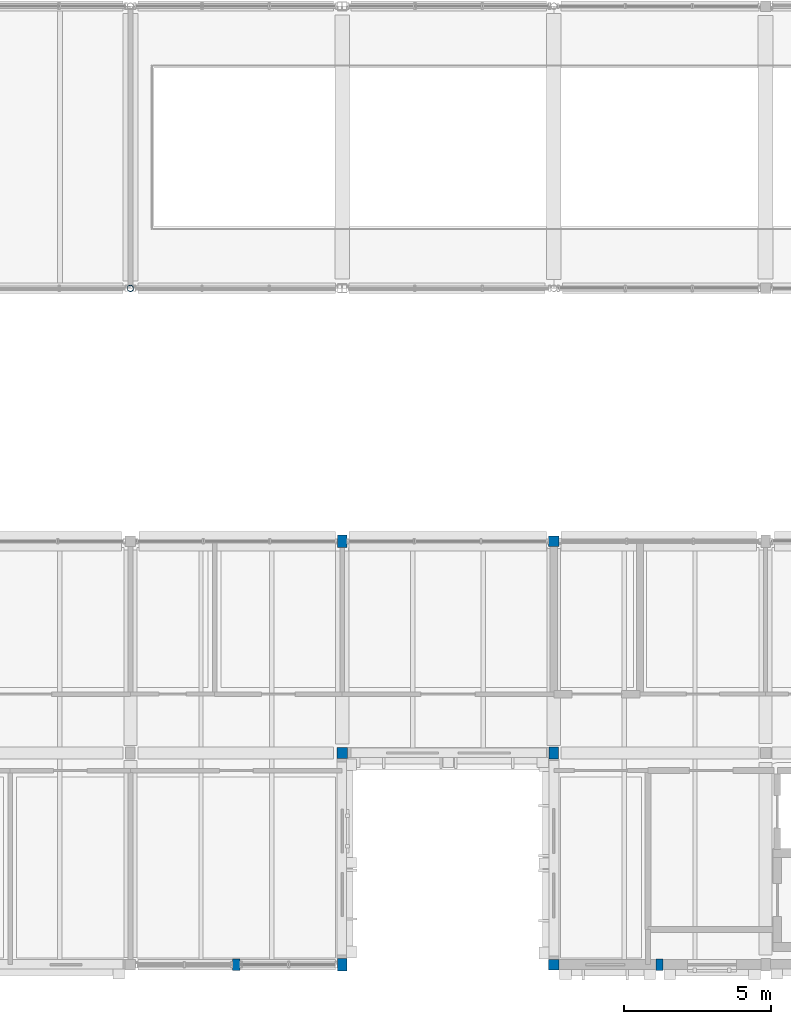
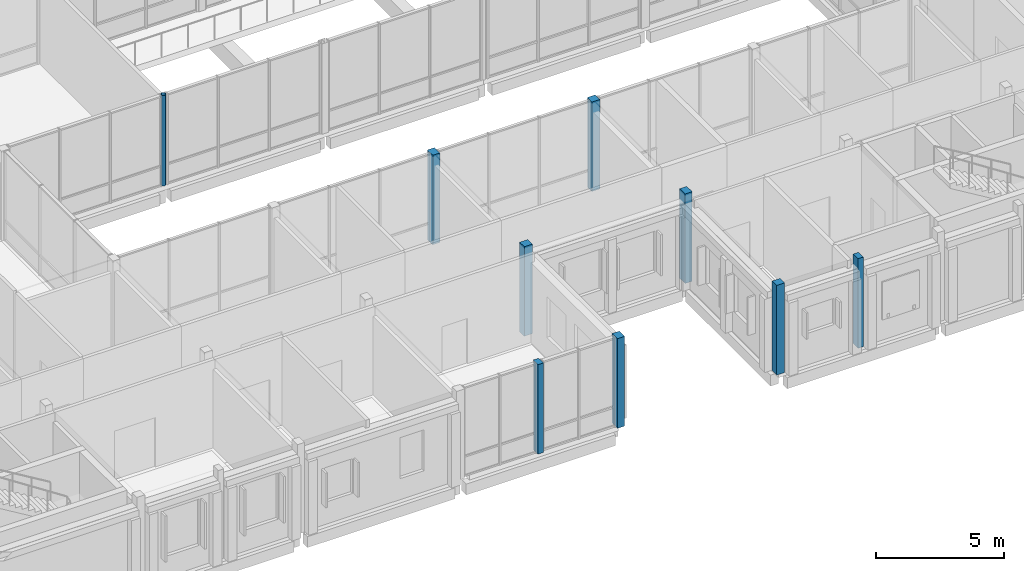
# One storey, part 2 of 146: 9 columns.
"""IFC4 building model written with IfcOpenShell, lengths in metres."""

from ifc_helpers import new_model, si_unit, direction, frame, origin, origin_2d, place, context, subcontext, project, spatial, rectangle, hollow_circle, extrude, material, material_profile, profile_set, type_object, element, save


model = new_model("IFC4")

# Units and contexts
model_context = context("Model", 3, precision=1e-05, world=origin(), true_north=direction((0.0, 1.0)))
body_context = subcontext(model_context, "Body", "Model", "MODEL_VIEW")
ifc_project = project(units=[si_unit("LENGTHUNIT", "METRE"), si_unit("AREAUNIT", "SQUARE_METRE"), si_unit("VOLUMEUNIT", "CUBIC_METRE"), si_unit("PLANEANGLEUNIT", "RADIAN"), si_unit("MASSUNIT", "GRAM", prefix="KILO")], contexts=[model_context])

# Site, building, storey
site_placement = place(None, origin())
site = spatial("IfcSite", under=ifc_project, at=site_placement, CompositionType="ELEMENT")
building_placement = place(site_placement, origin())
building = spatial("IfcBuilding", under=site, at=building_placement, Name="Hawrajan Terrace Health Centre", CompositionType="ELEMENT")
storey_placement = place(building_placement, frame((0.0, 0.0, 4.5)))
storey = spatial("IfcBuildingStorey", under=building, at=storey_placement, Name="L01", CompositionType="ELEMENT", Elevation=4.5)

# Columns
ifc_material_1 = material(Name="Glulam GL32h", Category="wood")
ifc_material_profile_1 = material_profile(ifc_material_1, rectangle(XDim=0.320068359375, YDim=0.419921875, at=origin_2d()), Name="GL 320x420")
ifc_profile_set_1 = profile_set([ifc_material_profile_1], Name="Glulam GL32h")
column_type_1 = type_object("IfcColumnType", Name="GlulamCol_320x420", PredefinedType="COLUMN", material=ifc_profile_set_1)
for number, where, z_axis, x_axis, name in (
    (1, (40.60009765625, 4.199951171875, 0.0), (0.0, 0.0, 1.0), (1.0, 0.0, 0.0), "Column COL-L01-W-X06-Y1"),
    (2, (40.60009765625, 18.60009765625, 0.0), (0.0, 0.0, 1.0), (1.0, 0.0, 0.0), "Column COL-L01-W-X06-Y3"),
    (3, (47.800048828125, 11.39990234375, 0.0), (0.0, 0.0, 1.0), (1.0, 0.0, 0.0), "Column COL-L01-W-X07-Y2"),
):
    element("IfcColumn", number, at=place(storey_placement, frame(where, z_axis=z_axis, x_axis=x_axis)), inside=storey, type_object=column_type_1, Name=name, PredefinedType="COLUMN", context=body_context, shape_type="SweptSolid", body=[
        extrude(rectangle(XDim=0.320068359375, YDim=0.419921875, at=origin_2d()), origin(), (0.0, 0.0, 1.0), 4.260009765625),
    ])
ifc_material_profile_2 = material_profile(ifc_material_1, rectangle(XDim=0.360107421875, YDim=0.360107421875, at=origin_2d()), Name="GL 360x360")
ifc_profile_set_2 = profile_set([ifc_material_profile_2], Name="Glulam GL32h")
column_type_2 = type_object("IfcColumnType", Name="GlulamCol_360x360", PredefinedType="COLUMN", material=ifc_profile_set_2)
for number, where, z_axis, x_axis, name in (
    (4, (40.60009765625, 11.39990234375, 0.0), (0.0, 0.0, 1.0), (1.0, 0.0, 0.0), "Column COL-L01-W-X06-Y2"),
    (5, (47.800048828125, 4.199951171875, 0.0), (0.0, 0.0, 1.0), (1.0, 0.0, 0.0), "Column COL-L01-W-X07-Y1"),
    (6, (47.800048828125, 18.60009765625, 0.0), (0.0, 0.0, 1.0), (1.0, 0.0, 0.0), "Column COL-L01-W-X07-Y3"),
):
    element("IfcColumn", number, at=place(storey_placement, frame(where, z_axis=z_axis, x_axis=x_axis)), inside=storey, type_object=column_type_2, Name=name, PredefinedType="COLUMN", context=body_context, shape_type="SweptSolid", body=[
        extrude(rectangle(XDim=0.360107421875, YDim=0.360107421875, at=origin_2d()), origin(), (0.0, 0.0, 1.0), 4.260009765625),
    ])
ifc_material_profile_3 = material_profile(ifc_material_1, rectangle(XDim=0.239990234375, YDim=0.3798828125, at=origin_2d()), Name="GL PIL 240x380")
ifc_profile_set_3 = profile_set([ifc_material_profile_3], Name="Glulam GL32h")
column_type_3 = type_object("IfcColumnType", Name="GlulamPilaster_240x380", PredefinedType="PILASTER", material=ifc_profile_set_3)
for number, where, z_axis, x_axis, name in (
    (7, (37.0, 4.199951171875, 0.0), (0.0, 0.0, 1.0), (1.0, 0.0, 0.0), "Art Deco fluted pilaster L01-05-Y1"),
    (8, (51.39990234375, 4.199951171875, 0.0), (0.0, 0.0, 1.0), (1.0, 0.0, 0.0), "Art Deco fluted pilaster L01-07-Y1"),
):
    element("IfcColumn", number, at=place(storey_placement, frame(where, z_axis=z_axis, x_axis=x_axis)), inside=storey, type_object=column_type_3, Name=name, PredefinedType="PILASTER", context=body_context, shape_type="SweptSolid", body=[
        extrude(rectangle(XDim=0.239990234375, YDim=0.3798828125, at=origin_2d()), origin(), (0.0, 0.0, 1.0), 4.260009765625),
    ])
ifc_material_2 = material(Name="Steel S355", Category="steel")
ifc_material_profile_4 = material_profile(ifc_material_2, hollow_circle(Radius=0.109619140625, WallThickness=0.010009765625, at=origin_2d()), Name="CHS 219.1x10.0")
ifc_profile_set_4 = profile_set([ifc_material_profile_4], Name="Steel S355")
column_type_4 = type_object("IfcColumnType", Name="SteelCol_CHS219", PredefinedType="COLUMN", material=ifc_profile_set_4)
column_placement = place(storey_placement, frame((33.39990234375, 27.199951171875, 0.0), z_axis=(0.0, 0.0, 1.0), x_axis=(1.0, 0.0, 0.0)))
element("IfcColumn", 9, at=column_placement, inside=storey, type_object=column_type_4, Name="Column COL-L01-W-X05-Y4", PredefinedType="COLUMN", context=body_context, shape_type="SweptSolid", body=[
    extrude(hollow_circle(Radius=0.109619140625, WallThickness=0.010009765625, at=origin_2d()), origin(), (0.0, 0.0, 1.0), 4.300048828125),
])

save(model, "model.ifc")
